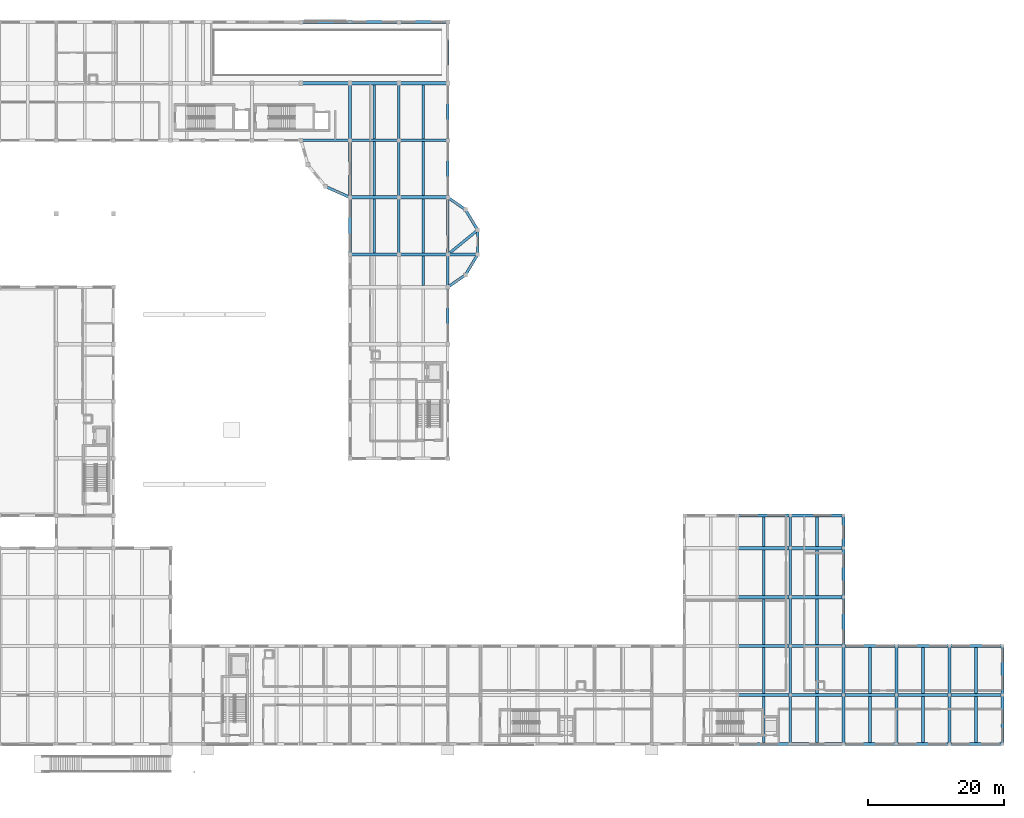
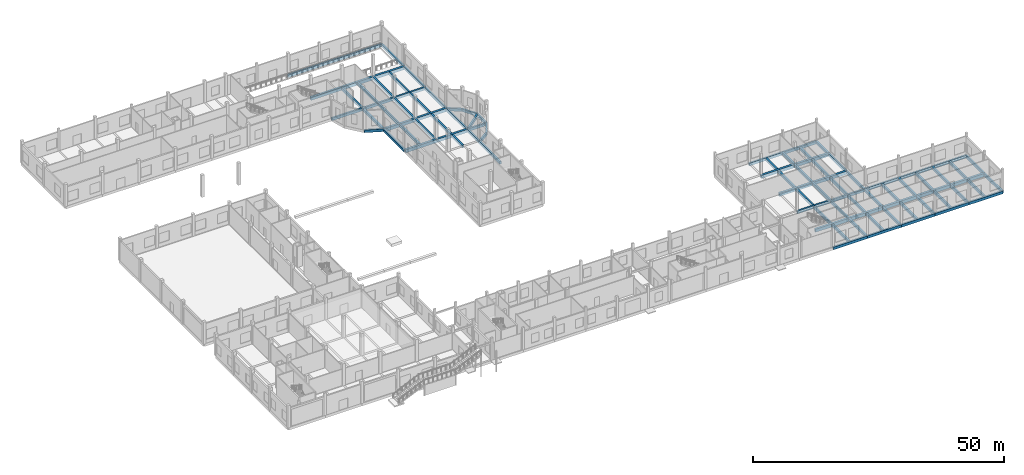
# One storey, part 12 of 41: 93 beams.
"""IFC4 building model written with IfcOpenShell, lengths in metres."""

from ifc_helpers import new_model, si_unit, direction, frame, origin, origin_2d, place, context, subcontext, project, spatial, rectangle, extrude, material, material_profile, profile_set, type_object, element, save


model = new_model("IFC4")

# Units and contexts
model_context = context("Model", 3, precision=1e-05, world=origin(), true_north=direction((0.0, 1.0)))
body_context = subcontext(model_context, "Body", "Model", "MODEL_VIEW")
ifc_project = project(units=[si_unit("LENGTHUNIT", "METRE"), si_unit("AREAUNIT", "SQUARE_METRE"), si_unit("VOLUMEUNIT", "CUBIC_METRE"), si_unit("PLANEANGLEUNIT", "RADIAN"), si_unit("MASSUNIT", "GRAM", prefix="KILO")], contexts=[model_context])

# Site, building, storey
site_placement = place(None, origin())
site = spatial("IfcSite", under=ifc_project, at=site_placement, CompositionType="ELEMENT")
building_placement = place(site_placement, origin())
building = spatial("IfcBuilding", under=site, at=building_placement, Name="Kahlenmark Community Centre", CompositionType="ELEMENT")
storey_placement = place(building_placement, origin())
storey = spatial("IfcBuildingStorey", under=building, at=storey_placement, Name="L00", CompositionType="ELEMENT", Elevation=0.0)

# Beams
ifc_material = material(Name="Concrete C35/45", Category="concrete")
ifc_material_profile_1 = material_profile(ifc_material, rectangle(XDim=0.39990234375, YDim=0.64990234375, at=origin_2d()), Name="RC 400x650")
ifc_profile_set_1 = profile_set([ifc_material_profile_1], Name="Concrete C35/45")
beam_type_1 = type_object("IfcBeamType", Name="BT-BEAM-RC400x650", PredefinedType="BEAM", material=ifc_profile_set_1)
for number, where, z_axis, x_axis, name in (
    (1, (72.39990234375, 97.60009765625, -0.324951171875), (0.0, 1.0, 0.0), (-1.0, 0.0, 0.0), "L00 beam BG-RC400x650"),
    (2, (79.60009765625, 97.60009765625, -0.324951171875), (0.0, 1.0, 0.0), (-1.0, 0.0, 0.0), "L00 beam BG-RC400x650"),
    (3, (79.60009765625, 80.800048828125, -0.324951171875), (0.0, 1.0, 0.0), (-1.0, 0.0, 0.0), "L00 beam BG-RC400x650"),
):
    element("IfcBeam", number, at=place(storey_placement, frame(where, z_axis=z_axis, x_axis=x_axis)), inside=storey, type_object=beam_type_1, Name=name, PredefinedType="BEAM", context=body_context, shape_type="SweptSolid", body=[
        extrude(rectangle(XDim=0.39990234375, YDim=0.64990234375, at=origin_2d()), origin(), (0.0, 0.0, 1.0), 8.39990234375),
    ])
beam_1_placement = place(storey_placement, frame((79.60009765625, 89.199951171875, -0.324951171875), z_axis=(0.0, 1.0, 0.0), x_axis=(-1.0, 0.0, 0.0)))
element("IfcBeam", 4, at=beam_1_placement, inside=storey, type_object=beam_type_1, Name="L00 beam BG-RC400x650", PredefinedType="BEAM", context=body_context, shape_type="SweptSolid", body=[
    extrude(rectangle(XDim=0.39990234375, YDim=0.64990234375, at=origin_2d()), origin(), (0.0, 0.0, 1.0), 8.400146484375),
])
for number, where, z_axis, x_axis, name in (
    (5, (137.199951171875, 8.800048828125, -0.324951171875), (0.0, 1.0, 0.0), (-1.0, 0.0, 0.0), "L00 beam BG-RC400x650"),
    (6, (137.199951171875, 16.0, -0.324951171875), (0.0, 1.0, 0.0), (-1.0, 0.0, 0.0), "L00 beam BG-RC400x650"),
    (7, (145.0, 8.800048828125, -0.324951171875), (0.0, 1.0, 0.0), (-1.0, 0.0, 0.0), "L00 beam BG-RC400x650"),
    (8, (145.0, 16.0, -0.324951171875), (0.0, 1.0, 0.0), (-1.0, 0.0, 0.0), "L00 beam BG-RC400x650"),
    (9, (152.800048828125, 8.800048828125, -0.324951171875), (0.0, 1.0, 0.0), (-1.0, 0.0, 0.0), "L00 beam BG-RC400x650"),
    (10, (152.800048828125, 16.0, -0.324951171875), (0.0, 1.0, 0.0), (-1.0, 0.0, 0.0), "L00 beam BG-RC400x650"),
    (11, (160.60009765625, 8.800048828125, -0.324951171875), (0.0, 1.0, 0.0), (-1.0, 0.0, 0.0), "L00 beam BG-RC400x650"),
    (12, (160.60009765625, 16.0, -0.324951171875), (0.0, 1.0, 0.0), (-1.0, 0.0, 0.0), "L00 beam BG-RC400x650"),
    (13, (137.199951171875, 23.199951171875, -0.324951171875), (0.0, 1.0, 0.0), (-1.0, 0.0, 0.0), "L00 beam BG-RC400x650"),
):
    element("IfcBeam", number, at=place(storey_placement, frame(where, z_axis=z_axis, x_axis=x_axis)), inside=storey, type_object=beam_type_1, Name=name, PredefinedType="BEAM", context=body_context, shape_type="SweptSolid", body=[
        extrude(rectangle(XDim=0.39990234375, YDim=0.64990234375, at=origin_2d()), origin(), (0.0, 0.0, 1.0), 7.199951171875),
    ])
beam_2_placement = place(storey_placement, frame((137.199951171875, 30.39990234375, -0.324951171875), z_axis=(0.0, 1.0, 0.0), x_axis=(-1.0, 0.0, 0.0)))
element("IfcBeam", 14, at=beam_2_placement, inside=storey, type_object=beam_type_1, Name="L00 beam BG-RC400x650", PredefinedType="BEAM", context=body_context, shape_type="SweptSolid", body=[
    extrude(rectangle(XDim=0.39990234375, YDim=0.64990234375, at=origin_2d()), origin(), (0.0, 0.0, 1.0), 7.2001953125),
])
beam_3_placement = place(storey_placement, frame((137.199951171875, 37.60009765625, -0.324951171875), z_axis=(0.0, 1.0, 0.0), x_axis=(-1.0, 0.0, 0.0)))
element("IfcBeam", 15, at=beam_3_placement, inside=storey, type_object=beam_type_1, Name="L00 beam BG-RC400x650", PredefinedType="BEAM", context=body_context, shape_type="SweptSolid", body=[
    extrude(rectangle(XDim=0.39990234375, YDim=0.64990234375, at=origin_2d()), origin(), (0.0, 0.0, 1.0), 4.7998046875),
])
beam_4_placement = place(storey_placement, frame((91.199951171875, 80.800048828125, -0.324951171875), z_axis=(-1.0, 0.0, 0.0), x_axis=(0.0, -1.0, 0.0)))
element("IfcBeam", 16, at=beam_4_placement, inside=storey, type_object=beam_type_1, Name="L00 beam BG-RC400x650", PredefinedType="BEAM", context=body_context, shape_type="SweptSolid", body=[
    extrude(rectangle(XDim=0.39990234375, YDim=0.64990234375, at=origin_2d()), origin(), (0.0, 0.0, 1.0), 4.39990234375),
])
beam_5_placement = place(storey_placement, frame((91.199951171875, 84.39990234375, -0.324951171875), z_axis=(-0.773963039406, -0.633230774389, 0.0), x_axis=(0.633230774389, -0.773963039406, 0.0)))
element("IfcBeam", 17, at=beam_5_placement, inside=storey, type_object=beam_type_1, Name="L00 beam BG-RC400x650", PredefinedType="BEAM", context=body_context, shape_type="SweptSolid", body=[
    extrude(rectangle(XDim=0.39990234375, YDim=0.64990234375, at=origin_2d()), origin(), (0.0, 0.0, 1.0), 5.684814453125),
])
ifc_material_profile_2 = material_profile(ifc_material, rectangle(XDim=0.5, YDim=0.75, at=origin_2d()), Name="RC 500x750")
ifc_profile_set_2 = profile_set([ifc_material_profile_2], Name="Concrete C35/45")
beam_type_2 = type_object("IfcBeamType", Name="BT-BEAM-RC500x750", PredefinedType="BEAM", material=ifc_profile_set_2)
beam_6_placement = place(storey_placement, frame((65.199951171875, 106.0, -0.375), z_axis=(1.0, 0.0, 0.0), x_axis=(0.0, 1.0, 0.0)))
element("IfcBeam", 18, at=beam_6_placement, inside=storey, type_object=beam_type_2, Name="L00 beam BG-RC500x750", PredefinedType="BEAM", context=body_context, shape_type="SweptSolid", body=[
    extrude(rectangle(XDim=0.5, YDim=0.75, at=origin_2d()), origin(), (0.0, 0.0, 1.0), 7.199951171875),
])
beam_7_placement = place(storey_placement, frame((72.39990234375, 106.0, -0.375), z_axis=(1.0, 0.0, 0.0), x_axis=(0.0, 1.0, 0.0)))
element("IfcBeam", 19, at=beam_7_placement, inside=storey, type_object=beam_type_2, Name="L00 beam BG-RC500x750", PredefinedType="BEAM", context=body_context, shape_type="SweptSolid", body=[
    extrude(rectangle(XDim=0.5, YDim=0.75, at=origin_2d()), origin(), (0.0, 0.0, 1.0), 7.2001953125),
])
beam_8_placement = place(storey_placement, frame((79.60009765625, 106.0, -0.375), z_axis=(1.0, 0.0, 0.0), x_axis=(0.0, 1.0, 0.0)))
element("IfcBeam", 20, at=beam_8_placement, inside=storey, type_object=beam_type_2, Name="L00 beam BG-RC500x750", PredefinedType="BEAM", context=body_context, shape_type="SweptSolid", body=[
    extrude(rectangle(XDim=0.5, YDim=0.75, at=origin_2d()), origin(), (0.0, 0.0, 1.0), 7.199951171875),
])
beam_9_placement = place(storey_placement, frame((72.39990234375, 80.800048828125, -0.375), z_axis=(1.0, 0.0, 0.0), x_axis=(0.0, 1.0, 0.0)))
element("IfcBeam", 21, at=beam_9_placement, inside=storey, type_object=beam_type_2, Name="L00 beam BG-RC500x750", PredefinedType="BEAM", context=body_context, shape_type="SweptSolid", body=[
    extrude(rectangle(XDim=0.5, YDim=0.75, at=origin_2d()), origin(), (0.0, 0.0, 1.0), 7.2001953125),
])
beam_10_placement = place(storey_placement, frame((79.60009765625, 80.800048828125, -0.375), z_axis=(1.0, 0.0, 0.0), x_axis=(0.0, 1.0, 0.0)))
element("IfcBeam", 22, at=beam_10_placement, inside=storey, type_object=beam_type_2, Name="L00 beam BG-RC500x750", PredefinedType="BEAM", context=body_context, shape_type="SweptSolid", body=[
    extrude(rectangle(XDim=0.5, YDim=0.75, at=origin_2d()), origin(), (0.0, 0.0, 1.0), 7.199951171875),
])
beam_11_placement = place(storey_placement, frame((72.39990234375, 89.199951171875, -0.375), z_axis=(1.0, 0.0, 0.0), x_axis=(0.0, 1.0, 0.0)))
element("IfcBeam", 23, at=beam_11_placement, inside=storey, type_object=beam_type_2, Name="L00 beam BG-RC500x750", PredefinedType="BEAM", context=body_context, shape_type="SweptSolid", body=[
    extrude(rectangle(XDim=0.5, YDim=0.75, at=origin_2d()), origin(), (0.0, 0.0, 1.0), 7.2001953125),
])
beam_12_placement = place(storey_placement, frame((79.60009765625, 89.199951171875, -0.375), z_axis=(1.0, 0.0, 0.0), x_axis=(0.0, 1.0, 0.0)))
element("IfcBeam", 24, at=beam_12_placement, inside=storey, type_object=beam_type_2, Name="L00 beam BG-RC500x750", PredefinedType="BEAM", context=body_context, shape_type="SweptSolid", body=[
    extrude(rectangle(XDim=0.5, YDim=0.75, at=origin_2d()), origin(), (0.0, 0.0, 1.0), 7.199951171875),
])
for number, where, z_axis, x_axis, name in (
    (25, (129.39990234375, 16.0, -0.375), (1.0, 0.0, 0.0), (0.0, 1.0, 0.0), "L00 beam BG-RC500x750"),
    (26, (137.199951171875, 16.0, -0.375), (1.0, 0.0, 0.0), (0.0, 1.0, 0.0), "L00 beam BG-RC500x750"),
    (27, (145.0, 16.0, -0.375), (1.0, 0.0, 0.0), (0.0, 1.0, 0.0), "L00 beam BG-RC500x750"),
    (28, (152.800048828125, 16.0, -0.375), (1.0, 0.0, 0.0), (0.0, 1.0, 0.0), "L00 beam BG-RC500x750"),
):
    element("IfcBeam", number, at=place(storey_placement, frame(where, z_axis=z_axis, x_axis=x_axis)), inside=storey, type_object=beam_type_2, Name=name, PredefinedType="BEAM", context=body_context, shape_type="SweptSolid", body=[
        extrude(rectangle(XDim=0.5, YDim=0.75, at=origin_2d()), origin(), (0.0, 0.0, 1.0), 7.800048828125),
    ])
beam_13_placement = place(storey_placement, frame((160.60009765625, 16.0, -0.375), z_axis=(1.0, 0.0, 0.0), x_axis=(0.0, 1.0, 0.0)))
element("IfcBeam", 29, at=beam_13_placement, inside=storey, type_object=beam_type_2, Name="L00 beam BG-RC500x750", PredefinedType="BEAM", context=body_context, shape_type="SweptSolid", body=[
    extrude(rectangle(XDim=0.5, YDim=0.75, at=origin_2d()), origin(), (0.0, 0.0, 1.0), 7.7998046875),
])
for number, where, z_axis, x_axis, name in (
    (30, (129.39990234375, 30.39990234375, -0.375), (1.0, 0.0, 0.0), (0.0, 1.0, 0.0), "L00 beam BG-RC500x750"),
    (31, (137.199951171875, 30.39990234375, -0.375), (1.0, 0.0, 0.0), (0.0, 1.0, 0.0), "L00 beam BG-RC500x750"),
    (32, (129.39990234375, 37.60009765625, -0.375), (1.0, 0.0, 0.0), (0.0, 1.0, 0.0), "L00 beam BG-RC500x750"),
    (33, (137.199951171875, 37.60009765625, -0.375), (1.0, 0.0, 0.0), (0.0, 1.0, 0.0), "L00 beam BG-RC500x750"),
):
    element("IfcBeam", number, at=place(storey_placement, frame(where, z_axis=z_axis, x_axis=x_axis)), inside=storey, type_object=beam_type_2, Name=name, PredefinedType="BEAM", context=body_context, shape_type="SweptSolid", body=[
        extrude(rectangle(XDim=0.5, YDim=0.75, at=origin_2d()), origin(), (0.0, 0.0, 1.0), 7.800048828125),
    ])
ifc_material_profile_3 = material_profile(ifc_material, rectangle(XDim=0.39990234375, YDim=0.64990234375, at=origin_2d()), Name="RC 400x650")
ifc_profile_set_3 = profile_set([ifc_material_profile_3], Name="Concrete C35/45")
beam_type_3 = type_object("IfcBeamType", Name="BT-JOIST-RC400x650", PredefinedType="JOIST", material=ifc_profile_set_3)
for number, where, z_axis, x_axis, name in (
    (34, (76.0, 97.798095703125, -0.324951171875), (0.0, 1.0, 0.0), (-1.0, 0.0, 0.0), "L00 joist BJ-RC400x650"),
    (35, (83.199951171875, 97.798095703125, -0.324951171875), (0.0, 1.0, 0.0), (-1.0, 0.0, 0.0), "L00 joist BJ-RC400x650"),
):
    element("IfcBeam", number, at=place(storey_placement, frame(where, z_axis=z_axis, x_axis=x_axis)), inside=storey, type_object=beam_type_3, Name=name, PredefinedType="JOIST", context=body_context, shape_type="SweptSolid", body=[
        extrude(rectangle(XDim=0.39990234375, YDim=0.64990234375, at=origin_2d()), origin(), (0.0, 0.0, 1.0), 7.953857421875),
    ])
beam_14_placement = place(storey_placement, frame((76.0, 81.048095703125, -0.324951171875), z_axis=(0.0, 1.0, 0.0), x_axis=(-1.0, 0.0, 0.0)))
element("IfcBeam", 36, at=beam_14_placement, inside=storey, type_object=beam_type_3, Name="L00 joist BJ-RC400x650", PredefinedType="JOIST", context=body_context, shape_type="SweptSolid", body=[
    extrude(rectangle(XDim=0.39990234375, YDim=0.64990234375, at=origin_2d()), origin(), (0.0, 0.0, 1.0), 7.90380859375),
])
beam_15_placement = place(storey_placement, frame((76.0, 89.447998046875, -0.324951171875), z_axis=(0.0, 1.0, 0.0), x_axis=(-1.0, 0.0, 0.0)))
element("IfcBeam", 37, at=beam_15_placement, inside=storey, type_object=beam_type_3, Name="L00 joist BJ-RC400x650", PredefinedType="JOIST", context=body_context, shape_type="SweptSolid", body=[
    extrude(rectangle(XDim=0.39990234375, YDim=0.64990234375, at=origin_2d()), origin(), (0.0, 0.0, 1.0), 7.9541015625),
])
beam_16_placement = place(storey_placement, frame((83.199951171875, 76.248046875, -0.324951171875), z_axis=(0.0, 1.0, 0.0), x_axis=(-1.0, 0.0, 0.0)))
element("IfcBeam", 38, at=beam_16_placement, inside=storey, type_object=beam_type_3, Name="L00 joist BJ-RC400x650", PredefinedType="JOIST", context=body_context, shape_type="SweptSolid", body=[
    extrude(rectangle(XDim=0.39990234375, YDim=0.64990234375, at=origin_2d()), origin(), (0.0, 0.0, 1.0), 4.303955078125),
])
beam_17_placement = place(storey_placement, frame((83.199951171875, 81.048095703125, -0.324951171875), z_axis=(0.0, 1.0, 0.0), x_axis=(-1.0, 0.0, 0.0)))
element("IfcBeam", 39, at=beam_17_placement, inside=storey, type_object=beam_type_3, Name="L00 joist BJ-RC400x650", PredefinedType="JOIST", context=body_context, shape_type="SweptSolid", body=[
    extrude(rectangle(XDim=0.39990234375, YDim=0.64990234375, at=origin_2d()), origin(), (0.0, 0.0, 1.0), 7.90380859375),
])
beam_18_placement = place(storey_placement, frame((83.199951171875, 89.447998046875, -0.324951171875), z_axis=(0.0, 1.0, 0.0), x_axis=(-1.0, 0.0, 0.0)))
element("IfcBeam", 40, at=beam_18_placement, inside=storey, type_object=beam_type_3, Name="L00 joist BJ-RC400x650", PredefinedType="JOIST", context=body_context, shape_type="SweptSolid", body=[
    extrude(rectangle(XDim=0.39990234375, YDim=0.64990234375, at=origin_2d()), origin(), (0.0, 0.0, 1.0), 7.9541015625),
])
for number, where, z_axis, x_axis, name in (
    (41, (133.300048828125, 8.998046875, -0.324951171875), (0.0, 1.0, 0.0), (-1.0, 0.0, 0.0), "L00 joist BJ-RC400x650"),
    (42, (133.300048828125, 16.248046875, -0.324951171875), (0.0, 1.0, 0.0), (-1.0, 0.0, 0.0), "L00 joist BJ-RC400x650"),
    (43, (141.10009765625, 8.998046875, -0.324951171875), (0.0, 1.0, 0.0), (-1.0, 0.0, 0.0), "L00 joist BJ-RC400x650"),
    (44, (141.10009765625, 16.248046875, -0.324951171875), (0.0, 1.0, 0.0), (-1.0, 0.0, 0.0), "L00 joist BJ-RC400x650"),
    (45, (148.89990234375, 8.998046875, -0.324951171875), (0.0, 1.0, 0.0), (-1.0, 0.0, 0.0), "L00 joist BJ-RC400x650"),
    (46, (148.89990234375, 16.248046875, -0.324951171875), (0.0, 1.0, 0.0), (-1.0, 0.0, 0.0), "L00 joist BJ-RC400x650"),
    (47, (156.699951171875, 8.998046875, -0.324951171875), (0.0, 1.0, 0.0), (-1.0, 0.0, 0.0), "L00 joist BJ-RC400x650"),
    (48, (156.699951171875, 16.248046875, -0.324951171875), (0.0, 1.0, 0.0), (-1.0, 0.0, 0.0), "L00 joist BJ-RC400x650"),
    (49, (164.5, 8.998046875, -0.324951171875), (0.0, 1.0, 0.0), (-1.0, 0.0, 0.0), "L00 joist BJ-RC400x650"),
    (50, (164.5, 16.248046875, -0.324951171875), (0.0, 1.0, 0.0), (-1.0, 0.0, 0.0), "L00 joist BJ-RC400x650"),
):
    element("IfcBeam", number, at=place(storey_placement, frame(where, z_axis=z_axis, x_axis=x_axis)), inside=storey, type_object=beam_type_3, Name=name, PredefinedType="JOIST", context=body_context, shape_type="SweptSolid", body=[
        extrude(rectangle(XDim=0.39990234375, YDim=0.64990234375, at=origin_2d()), origin(), (0.0, 0.0, 1.0), 6.75390625),
    ])
beam_19_placement = place(storey_placement, frame((133.300048828125, 23.39794921875, -0.324951171875), z_axis=(0.0, 1.0, 0.0), x_axis=(-1.0, 0.0, 0.0)))
element("IfcBeam", 51, at=beam_19_placement, inside=storey, type_object=beam_type_3, Name="L00 joist BJ-RC400x650", PredefinedType="JOIST", context=body_context, shape_type="SweptSolid", body=[
    extrude(rectangle(XDim=0.39990234375, YDim=0.64990234375, at=origin_2d()), origin(), (0.0, 0.0, 1.0), 6.754150390625),
])
beam_20_placement = place(storey_placement, frame((133.300048828125, 30.64794921875, -0.324951171875), z_axis=(0.0, 1.0, 0.0), x_axis=(-1.0, 0.0, 0.0)))
element("IfcBeam", 52, at=beam_20_placement, inside=storey, type_object=beam_type_3, Name="L00 joist BJ-RC400x650", PredefinedType="JOIST", context=body_context, shape_type="SweptSolid", body=[
    extrude(rectangle(XDim=0.39990234375, YDim=0.64990234375, at=origin_2d()), origin(), (0.0, 0.0, 1.0), 6.7041015625),
])
beam_21_placement = place(storey_placement, frame((133.300048828125, 37.847900390625, -0.324951171875), z_axis=(0.0, 1.0, 0.0), x_axis=(-1.0, 0.0, 0.0)))
element("IfcBeam", 53, at=beam_21_placement, inside=storey, type_object=beam_type_3, Name="L00 joist BJ-RC400x650", PredefinedType="JOIST", context=body_context, shape_type="SweptSolid", body=[
    extrude(rectangle(XDim=0.39990234375, YDim=0.64990234375, at=origin_2d()), origin(), (0.0, 0.0, 1.0), 4.35400390625),
])
beam_22_placement = place(storey_placement, frame((141.10009765625, 23.39794921875, -0.324951171875), z_axis=(0.0, 1.0, 0.0), x_axis=(-1.0, 0.0, 0.0)))
element("IfcBeam", 54, at=beam_22_placement, inside=storey, type_object=beam_type_3, Name="L00 joist BJ-RC400x650", PredefinedType="JOIST", context=body_context, shape_type="SweptSolid", body=[
    extrude(rectangle(XDim=0.39990234375, YDim=0.64990234375, at=origin_2d()), origin(), (0.0, 0.0, 1.0), 6.754150390625),
])
beam_23_placement = place(storey_placement, frame((141.10009765625, 30.64794921875, -0.324951171875), z_axis=(0.0, 1.0, 0.0), x_axis=(-1.0, 0.0, 0.0)))
element("IfcBeam", 55, at=beam_23_placement, inside=storey, type_object=beam_type_3, Name="L00 joist BJ-RC400x650", PredefinedType="JOIST", context=body_context, shape_type="SweptSolid", body=[
    extrude(rectangle(XDim=0.39990234375, YDim=0.64990234375, at=origin_2d()), origin(), (0.0, 0.0, 1.0), 6.7041015625),
])
beam_24_placement = place(storey_placement, frame((141.10009765625, 37.847900390625, -0.324951171875), z_axis=(0.0, 1.0, 0.0), x_axis=(-1.0, 0.0, 0.0)))
element("IfcBeam", 56, at=beam_24_placement, inside=storey, type_object=beam_type_3, Name="L00 joist BJ-RC400x650", PredefinedType="JOIST", context=body_context, shape_type="SweptSolid", body=[
    extrude(rectangle(XDim=0.39990234375, YDim=0.64990234375, at=origin_2d()), origin(), (0.0, 0.0, 1.0), 4.35400390625),
])
ifc_material_profile_4 = material_profile(ifc_material, rectangle(XDim=0.39990234375, YDim=0.64990234375, at=origin_2d()), Name="RC 400x650")
ifc_profile_set_4 = profile_set([ifc_material_profile_4], Name="Concrete C35/45")
beam_type_4 = type_object("IfcBeamType", Name="BT-SPANDREL-RC400x650", PredefinedType="SPANDREL", material=ifc_profile_set_4)
beam_25_placement = place(storey_placement, frame((65.199951171875, 97.60009765625, -0.324951171875), z_axis=(1.0, 0.0, 0.0), x_axis=(0.0, 1.0, 0.0)))
element("IfcBeam", 57, at=beam_25_placement, inside=storey, type_object=beam_type_4, Name="L00 spandrel SP-RC400x650", PredefinedType="SPANDREL", context=body_context, shape_type="SweptSolid", body=[
    extrude(rectangle(XDim=0.39990234375, YDim=0.64990234375, at=origin_2d()), origin(), (0.0, 0.0, 1.0), 7.199951171875),
])
beam_26_placement = place(storey_placement, frame((72.39990234375, 97.60009765625, -0.324951171875), z_axis=(1.0, 0.0, 0.0), x_axis=(0.0, 1.0, 0.0)))
element("IfcBeam", 58, at=beam_26_placement, inside=storey, type_object=beam_type_4, Name="L00 spandrel SP-RC400x650", PredefinedType="SPANDREL", context=body_context, shape_type="SweptSolid", body=[
    extrude(rectangle(XDim=0.39990234375, YDim=0.64990234375, at=origin_2d()), origin(), (0.0, 0.0, 1.0), 7.2001953125),
])
for number, where, z_axis, x_axis, name in (
    (59, (79.60009765625, 97.60009765625, -0.324951171875), (1.0, 0.0, 0.0), (0.0, 1.0, 0.0), "L00 spandrel SP-RC400x650"),
    (60, (65.199951171875, 115.0, -0.324951171875), (1.0, 0.0, 0.0), (0.0, 1.0, 0.0), "L00 spandrel SP-RC400x650"),
):
    element("IfcBeam", number, at=place(storey_placement, frame(where, z_axis=z_axis, x_axis=x_axis)), inside=storey, type_object=beam_type_4, Name=name, PredefinedType="SPANDREL", context=body_context, shape_type="SweptSolid", body=[
        extrude(rectangle(XDim=0.39990234375, YDim=0.64990234375, at=origin_2d()), origin(), (0.0, 0.0, 1.0), 7.199951171875),
    ])
beam_27_placement = place(storey_placement, frame((72.39990234375, 115.0, -0.324951171875), z_axis=(1.0, 0.0, 0.0), x_axis=(0.0, 1.0, 0.0)))
element("IfcBeam", 61, at=beam_27_placement, inside=storey, type_object=beam_type_4, Name="L00 spandrel SP-RC400x650", PredefinedType="SPANDREL", context=body_context, shape_type="SweptSolid", body=[
    extrude(rectangle(XDim=0.39990234375, YDim=0.64990234375, at=origin_2d()), origin(), (0.0, 0.0, 1.0), 7.2001953125),
])
beam_28_placement = place(storey_placement, frame((79.60009765625, 115.0, -0.324951171875), z_axis=(1.0, 0.0, 0.0), x_axis=(0.0, 1.0, 0.0)))
element("IfcBeam", 62, at=beam_28_placement, inside=storey, type_object=beam_type_4, Name="L00 spandrel SP-RC400x650", PredefinedType="SPANDREL", context=body_context, shape_type="SweptSolid", body=[
    extrude(rectangle(XDim=0.39990234375, YDim=0.64990234375, at=origin_2d()), origin(), (0.0, 0.0, 1.0), 7.199951171875),
])
beam_29_placement = place(storey_placement, frame((86.800048828125, 97.60009765625, -0.324951171875), z_axis=(0.0, 1.0, 0.0), x_axis=(-1.0, 0.0, 0.0)))
element("IfcBeam", 63, at=beam_29_placement, inside=storey, type_object=beam_type_4, Name="L00 spandrel SP-RC400x650", PredefinedType="SPANDREL", context=body_context, shape_type="SweptSolid", body=[
    extrude(rectangle(XDim=0.39990234375, YDim=0.64990234375, at=origin_2d()), origin(), (0.0, 0.0, 1.0), 8.39990234375),
])
beam_30_placement = place(storey_placement, frame((86.800048828125, 106.0, -0.324951171875), z_axis=(0.0, 1.0, 0.0), x_axis=(-1.0, 0.0, 0.0)))
element("IfcBeam", 64, at=beam_30_placement, inside=storey, type_object=beam_type_4, Name="L00 spandrel SP-RC400x650", PredefinedType="SPANDREL", context=body_context, shape_type="SweptSolid", body=[
    extrude(rectangle(XDim=0.39990234375, YDim=0.64990234375, at=origin_2d()), origin(), (0.0, 0.0, 1.0), 9.0),
])
beam_31_placement = place(storey_placement, frame((72.39990234375, 80.800048828125, -0.324951171875), z_axis=(0.0, 1.0, 0.0), x_axis=(-1.0, 0.0, 0.0)))
element("IfcBeam", 65, at=beam_31_placement, inside=storey, type_object=beam_type_4, Name="L00 spandrel SP-RC400x650", PredefinedType="SPANDREL", context=body_context, shape_type="SweptSolid", body=[
    extrude(rectangle(XDim=0.39990234375, YDim=0.64990234375, at=origin_2d()), origin(), (0.0, 0.0, 1.0), 8.39990234375),
])
beam_32_placement = place(storey_placement, frame((72.39990234375, 89.199951171875, -0.324951171875), z_axis=(0.0, 1.0, 0.0), x_axis=(-1.0, 0.0, 0.0)))
element("IfcBeam", 66, at=beam_32_placement, inside=storey, type_object=beam_type_4, Name="L00 spandrel SP-RC400x650", PredefinedType="SPANDREL", context=body_context, shape_type="SweptSolid", body=[
    extrude(rectangle(XDim=0.39990234375, YDim=0.64990234375, at=origin_2d()), origin(), (0.0, 0.0, 1.0), 8.400146484375),
])
beam_33_placement = place(storey_placement, frame((86.800048828125, 67.60009765625, -0.324951171875), z_axis=(0.0, 1.0, 0.0), x_axis=(-1.0, 0.0, 0.0)))
element("IfcBeam", 67, at=beam_33_placement, inside=storey, type_object=beam_type_4, Name="L00 spandrel SP-RC400x650", PredefinedType="SPANDREL", context=body_context, shape_type="SweptSolid", body=[
    extrude(rectangle(XDim=0.39990234375, YDim=0.64990234375, at=origin_2d()), origin(), (0.0, 0.0, 1.0), 8.39990234375),
])
beam_34_placement = place(storey_placement, frame((86.800048828125, 76.0, -0.324951171875), z_axis=(0.0, 1.0, 0.0), x_axis=(-1.0, 0.0, 0.0)))
element("IfcBeam", 68, at=beam_34_placement, inside=storey, type_object=beam_type_4, Name="L00 spandrel SP-RC400x650", PredefinedType="SPANDREL", context=body_context, shape_type="SweptSolid", body=[
    extrude(rectangle(XDim=0.39990234375, YDim=0.64990234375, at=origin_2d()), origin(), (0.0, 0.0, 1.0), 4.800048828125),
])
beam_35_placement = place(storey_placement, frame((86.800048828125, 80.800048828125, -0.324951171875), z_axis=(0.0, 1.0, 0.0), x_axis=(-1.0, 0.0, 0.0)))
element("IfcBeam", 69, at=beam_35_placement, inside=storey, type_object=beam_type_4, Name="L00 spandrel SP-RC400x650", PredefinedType="SPANDREL", context=body_context, shape_type="SweptSolid", body=[
    extrude(rectangle(XDim=0.39990234375, YDim=0.64990234375, at=origin_2d()), origin(), (0.0, 0.0, 1.0), 8.39990234375),
])
beam_36_placement = place(storey_placement, frame((86.800048828125, 89.199951171875, -0.324951171875), z_axis=(0.0, 1.0, 0.0), x_axis=(-1.0, 0.0, 0.0)))
element("IfcBeam", 70, at=beam_36_placement, inside=storey, type_object=beam_type_4, Name="L00 spandrel SP-RC400x650", PredefinedType="SPANDREL", context=body_context, shape_type="SweptSolid", body=[
    extrude(rectangle(XDim=0.39990234375, YDim=0.64990234375, at=origin_2d()), origin(), (0.0, 0.0, 1.0), 8.400146484375),
])
for number, where, z_axis, x_axis, name in (
    (71, (129.39990234375, 8.800048828125, -0.324951171875), (1.0, 0.0, 0.0), (0.0, 1.0, 0.0), "L00 spandrel SP-RC400x650"),
    (72, (137.199951171875, 8.800048828125, -0.324951171875), (1.0, 0.0, 0.0), (0.0, 1.0, 0.0), "L00 spandrel SP-RC400x650"),
    (73, (145.0, 8.800048828125, -0.324951171875), (1.0, 0.0, 0.0), (0.0, 1.0, 0.0), "L00 spandrel SP-RC400x650"),
    (74, (152.800048828125, 8.800048828125, -0.324951171875), (1.0, 0.0, 0.0), (0.0, 1.0, 0.0), "L00 spandrel SP-RC400x650"),
):
    element("IfcBeam", number, at=place(storey_placement, frame(where, z_axis=z_axis, x_axis=x_axis)), inside=storey, type_object=beam_type_4, Name=name, PredefinedType="SPANDREL", context=body_context, shape_type="SweptSolid", body=[
        extrude(rectangle(XDim=0.39990234375, YDim=0.64990234375, at=origin_2d()), origin(), (0.0, 0.0, 1.0), 7.800048828125),
    ])
beam_37_placement = place(storey_placement, frame((160.60009765625, 8.800048828125, -0.324951171875), z_axis=(1.0, 0.0, 0.0), x_axis=(0.0, 1.0, 0.0)))
element("IfcBeam", 75, at=beam_37_placement, inside=storey, type_object=beam_type_4, Name="L00 spandrel SP-RC400x650", PredefinedType="SPANDREL", context=body_context, shape_type="SweptSolid", body=[
    extrude(rectangle(XDim=0.39990234375, YDim=0.64990234375, at=origin_2d()), origin(), (0.0, 0.0, 1.0), 7.7998046875),
])
for number, where, z_axis, x_axis, name in (
    (76, (129.39990234375, 23.199951171875, -0.324951171875), (1.0, 0.0, 0.0), (0.0, 1.0, 0.0), "L00 spandrel SP-RC400x650"),
    (77, (137.199951171875, 23.199951171875, -0.324951171875), (1.0, 0.0, 0.0), (0.0, 1.0, 0.0), "L00 spandrel SP-RC400x650"),
    (78, (145.0, 23.199951171875, -0.324951171875), (1.0, 0.0, 0.0), (0.0, 1.0, 0.0), "L00 spandrel SP-RC400x650"),
    (79, (152.800048828125, 23.199951171875, -0.324951171875), (1.0, 0.0, 0.0), (0.0, 1.0, 0.0), "L00 spandrel SP-RC400x650"),
):
    element("IfcBeam", number, at=place(storey_placement, frame(where, z_axis=z_axis, x_axis=x_axis)), inside=storey, type_object=beam_type_4, Name=name, PredefinedType="SPANDREL", context=body_context, shape_type="SweptSolid", body=[
        extrude(rectangle(XDim=0.39990234375, YDim=0.64990234375, at=origin_2d()), origin(), (0.0, 0.0, 1.0), 7.800048828125),
    ])
beam_38_placement = place(storey_placement, frame((160.60009765625, 23.199951171875, -0.324951171875), z_axis=(1.0, 0.0, 0.0), x_axis=(0.0, 1.0, 0.0)))
element("IfcBeam", 80, at=beam_38_placement, inside=storey, type_object=beam_type_4, Name="L00 spandrel SP-RC400x650", PredefinedType="SPANDREL", context=body_context, shape_type="SweptSolid", body=[
    extrude(rectangle(XDim=0.39990234375, YDim=0.64990234375, at=origin_2d()), origin(), (0.0, 0.0, 1.0), 7.7998046875),
])
for number, where, z_axis, x_axis, name in (
    (81, (168.39990234375, 8.800048828125, -0.324951171875), (0.0, 1.0, 0.0), (-1.0, 0.0, 0.0), "L00 spandrel SP-RC400x650"),
    (82, (168.39990234375, 16.0, -0.324951171875), (0.0, 1.0, 0.0), (-1.0, 0.0, 0.0), "L00 spandrel SP-RC400x650"),
):
    element("IfcBeam", number, at=place(storey_placement, frame(where, z_axis=z_axis, x_axis=x_axis)), inside=storey, type_object=beam_type_4, Name=name, PredefinedType="SPANDREL", context=body_context, shape_type="SweptSolid", body=[
        extrude(rectangle(XDim=0.39990234375, YDim=0.64990234375, at=origin_2d()), origin(), (0.0, 0.0, 1.0), 7.199951171875),
    ])
for number, where, z_axis, x_axis, name in (
    (83, (129.39990234375, 42.39990234375, -0.324951171875), (1.0, 0.0, 0.0), (0.0, 1.0, 0.0), "L00 spandrel SP-RC400x650"),
    (84, (137.199951171875, 42.39990234375, -0.324951171875), (1.0, 0.0, 0.0), (0.0, 1.0, 0.0), "L00 spandrel SP-RC400x650"),
):
    element("IfcBeam", number, at=place(storey_placement, frame(where, z_axis=z_axis, x_axis=x_axis)), inside=storey, type_object=beam_type_4, Name=name, PredefinedType="SPANDREL", context=body_context, shape_type="SweptSolid", body=[
        extrude(rectangle(XDim=0.39990234375, YDim=0.64990234375, at=origin_2d()), origin(), (0.0, 0.0, 1.0), 7.800048828125),
    ])
beam_39_placement = place(storey_placement, frame((145.0, 23.199951171875, -0.324951171875), z_axis=(0.0, 1.0, 0.0), x_axis=(-1.0, 0.0, 0.0)))
element("IfcBeam", 85, at=beam_39_placement, inside=storey, type_object=beam_type_4, Name="L00 spandrel SP-RC400x650", PredefinedType="SPANDREL", context=body_context, shape_type="SweptSolid", body=[
    extrude(rectangle(XDim=0.39990234375, YDim=0.64990234375, at=origin_2d()), origin(), (0.0, 0.0, 1.0), 7.199951171875),
])
beam_40_placement = place(storey_placement, frame((145.0, 30.39990234375, -0.324951171875), z_axis=(0.0, 1.0, 0.0), x_axis=(-1.0, 0.0, 0.0)))
element("IfcBeam", 86, at=beam_40_placement, inside=storey, type_object=beam_type_4, Name="L00 spandrel SP-RC400x650", PredefinedType="SPANDREL", context=body_context, shape_type="SweptSolid", body=[
    extrude(rectangle(XDim=0.39990234375, YDim=0.64990234375, at=origin_2d()), origin(), (0.0, 0.0, 1.0), 7.2001953125),
])
beam_41_placement = place(storey_placement, frame((145.0, 37.60009765625, -0.324951171875), z_axis=(0.0, 1.0, 0.0), x_axis=(-1.0, 0.0, 0.0)))
element("IfcBeam", 87, at=beam_41_placement, inside=storey, type_object=beam_type_4, Name="L00 spandrel SP-RC400x650", PredefinedType="SPANDREL", context=body_context, shape_type="SweptSolid", body=[
    extrude(rectangle(XDim=0.39990234375, YDim=0.64990234375, at=origin_2d()), origin(), (0.0, 0.0, 1.0), 4.7998046875),
])
beam_42_placement = place(storey_placement, frame((86.800048828125, 76.0, -0.324951171875), z_axis=(0.8221699556, 0.569242096219, 0.0), x_axis=(-0.569242096219, 0.8221699556, 0.0)))
element("IfcBeam", 88, at=beam_42_placement, inside=storey, type_object=beam_type_4, Name="L00 spandrel SP-RC400x650", PredefinedType="SPANDREL", context=body_context, shape_type="SweptSolid", body=[
    extrude(rectangle(XDim=0.39990234375, YDim=0.64990234375, at=origin_2d()), origin(), (0.0, 0.0, 1.0), 3.162109375),
])
beam_43_placement = place(storey_placement, frame((89.39990234375, 77.800048828125, -0.324951171875), z_axis=(0.514506017516, 0.857486768376, 0.0), x_axis=(-0.857486768376, 0.514506017516, 0.0)))
element("IfcBeam", 89, at=beam_43_placement, inside=storey, type_object=beam_type_4, Name="L00 spandrel SP-RC400x650", PredefinedType="SPANDREL", context=body_context, shape_type="SweptSolid", body=[
    extrude(rectangle(XDim=0.39990234375, YDim=0.64990234375, at=origin_2d()), origin(), (0.0, 0.0, 1.0), 3.49853515625),
])
beam_44_placement = place(storey_placement, frame((91.199951171875, 80.800048828125, -0.324951171875), z_axis=(0.0, 1.0, 0.0), x_axis=(-1.0, 0.0, 0.0)))
element("IfcBeam", 90, at=beam_44_placement, inside=storey, type_object=beam_type_4, Name="L00 spandrel SP-RC400x650", PredefinedType="SPANDREL", context=body_context, shape_type="SweptSolid", body=[
    extrude(rectangle(XDim=0.39990234375, YDim=0.64990234375, at=origin_2d()), origin(), (0.0, 0.0, 1.0), 3.599853515625),
])
beam_45_placement = place(storey_placement, frame((91.199951171875, 84.39990234375, -0.324951171875), z_axis=(-0.514506017516, 0.857486768376, 0.0), x_axis=(-0.857486768376, -0.514506017516, 0.0)))
element("IfcBeam", 91, at=beam_45_placement, inside=storey, type_object=beam_type_4, Name="L00 spandrel SP-RC400x650", PredefinedType="SPANDREL", context=body_context, shape_type="SweptSolid", body=[
    extrude(rectangle(XDim=0.39990234375, YDim=0.64990234375, at=origin_2d()), origin(), (0.0, 0.0, 1.0), 3.49853515625),
])
beam_46_placement = place(storey_placement, frame((89.39990234375, 87.39990234375, -0.324951171875), z_axis=(-0.8221699556, 0.569242096219, 0.0), x_axis=(-0.569242096219, -0.8221699556, 0.0)))
element("IfcBeam", 92, at=beam_46_placement, inside=storey, type_object=beam_type_4, Name="L00 spandrel SP-RC400x650", PredefinedType="SPANDREL", context=body_context, shape_type="SweptSolid", body=[
    extrude(rectangle(XDim=0.39990234375, YDim=0.64990234375, at=origin_2d()), origin(), (0.0, 0.0, 1.0), 3.162109375),
])
beam_47_placement = place(storey_placement, frame((68.800048828125, 90.800048828125, -0.324951171875), z_axis=(0.913796214371, -0.40617296636, 0.0), x_axis=(0.40617296636, 0.913796214371, 0.0)))
element("IfcBeam", 93, at=beam_47_placement, inside=storey, type_object=beam_type_4, Name="L00 spandrel SP-RC400x650", PredefinedType="SPANDREL", context=body_context, shape_type="SweptSolid", body=[
    extrude(rectangle(XDim=0.39990234375, YDim=0.64990234375, at=origin_2d()), origin(), (0.0, 0.0, 1.0), 3.939453125),
])

save(model, "model.ifc")
